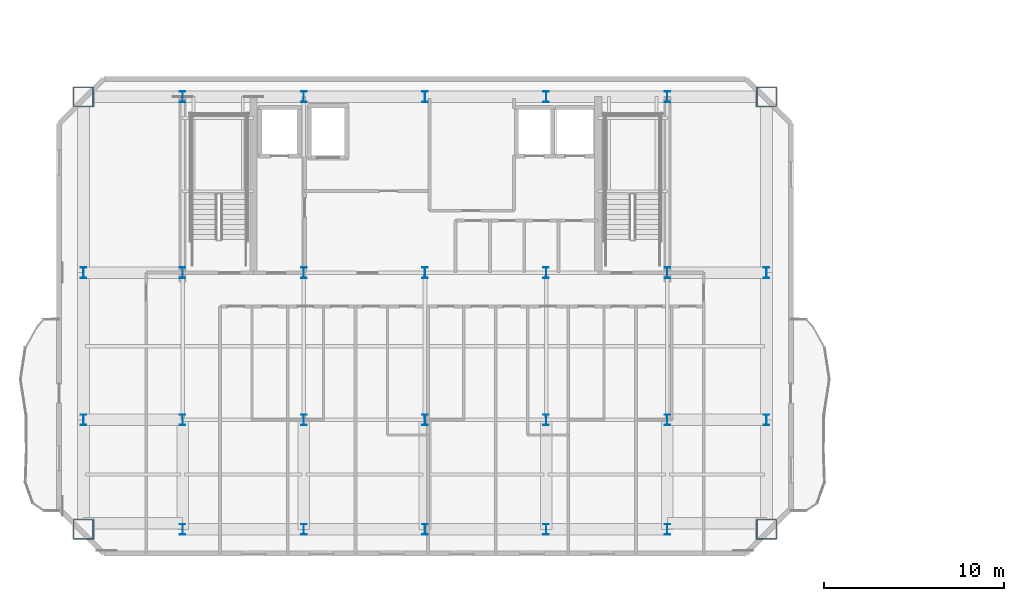
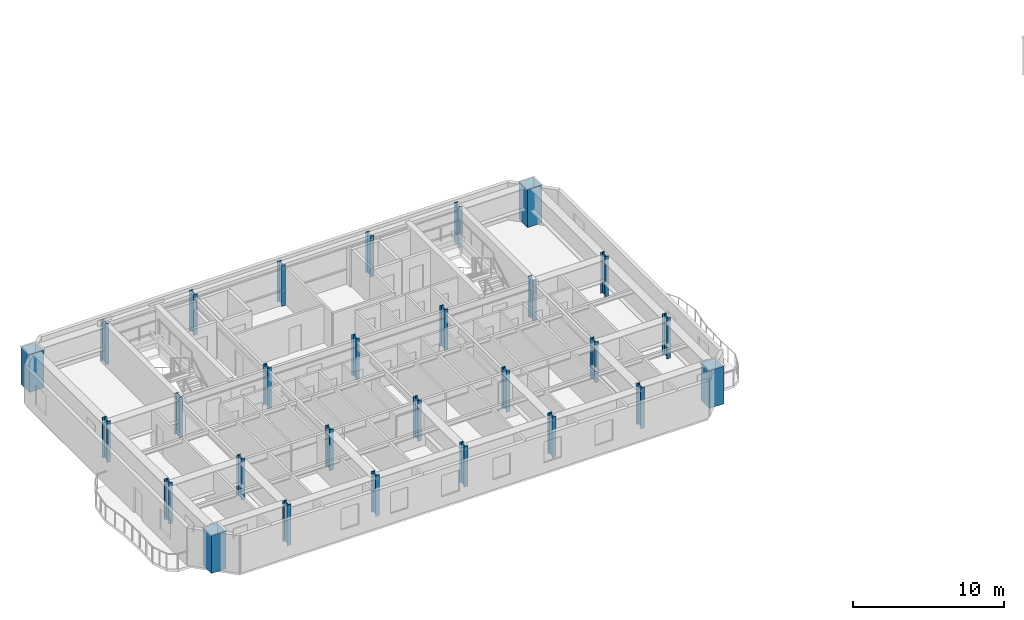
# One storey, part 1 of 16: 28 columns.
"""IFC4 building model written with IfcOpenShell, lengths in metres."""

from ifc_helpers import new_model, si_unit, direction, frame, origin, origin_2d, place, context, subcontext, project, spatial, hollow_rectangle, i_section, extrude, material, material_profile, profile_set, type_object, element, save


model = new_model("IFC4")

# Units and contexts
model_context = context("Model", 3, precision=1e-05, world=origin(), true_north=direction((0.0, 1.0)))
body_context = subcontext(model_context, "Body", "Model", "MODEL_VIEW")
ifc_project = project(units=[si_unit("LENGTHUNIT", "METRE"), si_unit("AREAUNIT", "SQUARE_METRE"), si_unit("VOLUMEUNIT", "CUBIC_METRE"), si_unit("PLANEANGLEUNIT", "RADIAN"), si_unit("MASSUNIT", "GRAM", prefix="KILO")], contexts=[model_context])

# Site, building, storey
site_placement = place(None, origin())
site = spatial("IfcSite", under=ifc_project, at=site_placement, CompositionType="ELEMENT")
building_placement = place(site_placement, origin())
building = spatial("IfcBuilding", under=site, at=building_placement, Name="Haevon Station Towers", CompositionType="ELEMENT")
storey_placement = place(building_placement, frame((0.0, 0.0, 215.39990234375)))
storey = spatial("IfcBuildingStorey", under=building, at=storey_placement, Name="L59", CompositionType="ELEMENT", Elevation=215.39990234375)

# Columns
ifc_material_1 = material(Name="Steel S460", Category="steel")
ifc_material_profile_1 = material_profile(ifc_material_1, hollow_rectangle(XDim=1.10009765625, YDim=1.10009765625, WallThickness=0.031982421875, at=origin_2d()), Name="BOX-1100x1100x32")
ifc_profile_set_1 = profile_set([ifc_material_profile_1], Name="Steel S460")
column_type_1 = type_object("IfcColumnType", Name="COL-MC5", PredefinedType="COLUMN", material=ifc_profile_set_1)
for number, where, z_axis, x_axis, name in (
    (1, (18.47509765625, 23.89990234375, 0.0), (0.0, 0.0, 1.0), (1.0, 0.0, 0.0), "COL-T1-L59-01-01"),
    (2, (18.47509765625, 48.0, 0.0), (0.0, 0.0, 1.0), (1.0, 0.0, 0.0), "COL-T1-L59-01-04"),
    (3, (56.52490234375, 23.89990234375, 0.0), (0.0, 0.0, 1.0), (1.0, 0.0, 0.0), "COL-T1-L59-07-01"),
    (4, (56.52490234375, 48.0, 0.0), (0.0, 0.0, 1.0), (1.0, 0.0, 0.0), "COL-T1-L59-07-04"),
):
    element("IfcColumn", number, at=place(storey_placement, frame(where, z_axis=z_axis, x_axis=x_axis)), inside=storey, type_object=column_type_1, Name=name, PredefinedType="COLUMN", context=body_context, shape_type="SweptSolid", body=[
        extrude(hollow_rectangle(XDim=1.10009765625, YDim=1.10009765625, WallThickness=0.031982421875, at=origin_2d()), origin(), (0.0, 0.0, 1.0), 3.050048828125),
    ])
ifc_material_2 = material(Name="Steel S355", Category="steel")
ifc_material_profile_2 = material_profile(ifc_material_2, i_section(OverallWidth=0.300048828125, OverallDepth=0.60009765625, WebThickness=0.013916015625, FlangeThickness=0.02490234375, at=origin_2d()), Name="H-600x300x14x25")
ifc_profile_set_2 = profile_set([ifc_material_profile_2], Name="Steel S355")
column_type_2 = type_object("IfcColumnType", Name="COL-TW4", PredefinedType="COLUMN", material=ifc_profile_set_2)
for number, where, z_axis, x_axis, name in (
    (5, (18.47509765625, 30.0, 0.0), (0.0, 0.0, 1.0), (1.0, 0.0, 0.0), "COL-T1-L59-01-02"),
    (6, (18.47509765625, 38.199951171875, 0.0), (0.0, 0.0, 1.0), (1.0, 0.0, 0.0), "COL-T1-L59-01-03"),
    (7, (24.0, 23.89990234375, 0.0), (0.0, 0.0, 1.0), (1.0, 0.0, 0.0), "COL-T1-L59-02-01"),
    (8, (24.0, 30.0, 0.0), (0.0, 0.0, 1.0), (1.0, 0.0, 0.0), "COL-T1-L59-02-02"),
    (9, (24.0, 38.199951171875, 0.0), (0.0, 0.0, 1.0), (1.0, 0.0, 0.0), "COL-T1-L59-02-03"),
    (10, (24.0, 48.0, 0.0), (0.0, 0.0, 1.0), (1.0, 0.0, 0.0), "COL-T1-L59-02-04"),
    (11, (30.75, 23.89990234375, 0.0), (0.0, 0.0, 1.0), (1.0, 0.0, 0.0), "COL-T1-L59-03-01"),
    (12, (30.75, 30.0, 0.0), (0.0, 0.0, 1.0), (1.0, 0.0, 0.0), "COL-T1-L59-03-02"),
    (13, (30.75, 38.199951171875, 0.0), (0.0, 0.0, 1.0), (1.0, 0.0, 0.0), "COL-T1-L59-03-03"),
    (14, (30.75, 48.0, 0.0), (0.0, 0.0, 1.0), (1.0, 0.0, 0.0), "COL-T1-L59-03-04"),
    (15, (37.5, 23.89990234375, 0.0), (0.0, 0.0, 1.0), (1.0, 0.0, 0.0), "COL-T1-L59-04-01"),
    (16, (37.5, 30.0, 0.0), (0.0, 0.0, 1.0), (1.0, 0.0, 0.0), "COL-T1-L59-04-02"),
    (17, (37.5, 38.199951171875, 0.0), (0.0, 0.0, 1.0), (1.0, 0.0, 0.0), "COL-T1-L59-04-03"),
    (18, (37.5, 48.0, 0.0), (0.0, 0.0, 1.0), (1.0, 0.0, 0.0), "COL-T1-L59-04-04"),
    (19, (44.25, 23.89990234375, 0.0), (0.0, 0.0, 1.0), (1.0, 0.0, 0.0), "COL-T1-L59-05-01"),
    (20, (44.25, 30.0, 0.0), (0.0, 0.0, 1.0), (1.0, 0.0, 0.0), "COL-T1-L59-05-02"),
    (21, (44.25, 38.199951171875, 0.0), (0.0, 0.0, 1.0), (1.0, 0.0, 0.0), "COL-T1-L59-05-03"),
    (22, (44.25, 48.0, 0.0), (0.0, 0.0, 1.0), (1.0, 0.0, 0.0), "COL-T1-L59-05-04"),
    (23, (51.0, 23.89990234375, 0.0), (0.0, 0.0, 1.0), (1.0, 0.0, 0.0), "COL-T1-L59-06-01"),
    (24, (51.0, 30.0, 0.0), (0.0, 0.0, 1.0), (1.0, 0.0, 0.0), "COL-T1-L59-06-02"),
    (25, (51.0, 38.199951171875, 0.0), (0.0, 0.0, 1.0), (1.0, 0.0, 0.0), "COL-T1-L59-06-03"),
    (26, (51.0, 48.0, 0.0), (0.0, 0.0, 1.0), (1.0, 0.0, 0.0), "COL-T1-L59-06-04"),
    (27, (56.52490234375, 30.0, 0.0), (0.0, 0.0, 1.0), (1.0, 0.0, 0.0), "COL-T1-L59-07-02"),
    (28, (56.52490234375, 38.199951171875, 0.0), (0.0, 0.0, 1.0), (1.0, 0.0, 0.0), "COL-T1-L59-07-03"),
):
    element("IfcColumn", number, at=place(storey_placement, frame(where, z_axis=z_axis, x_axis=x_axis)), inside=storey, type_object=column_type_2, Name=name, PredefinedType="COLUMN", context=body_context, shape_type="SweptSolid", body=[
        extrude(i_section(OverallWidth=0.300048828125, OverallDepth=0.60009765625, WebThickness=0.013916015625, FlangeThickness=0.02490234375, at=origin_2d()), origin(), (0.0, 0.0, 1.0), 3.300048828125),
    ])

save(model, "model.ifc")
